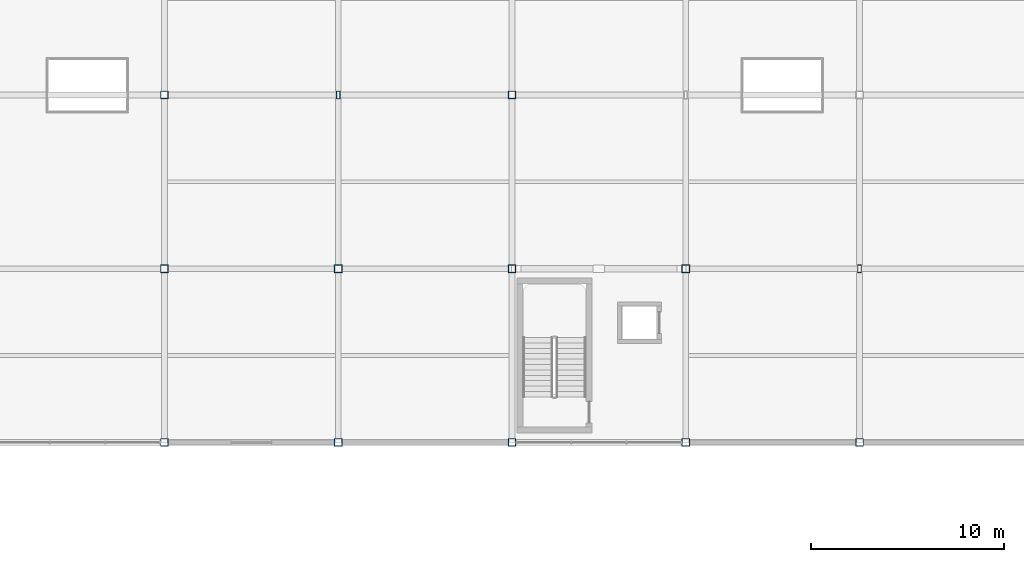
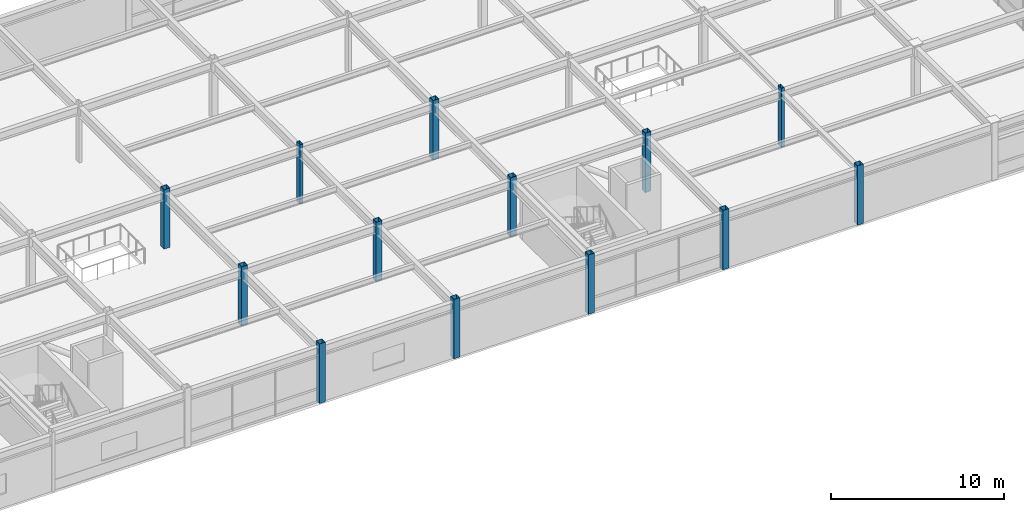
# One storey, part 6 of 70: 13 columns.
"""IFC4 building model written with IfcOpenShell, lengths in metres."""

from ifc_helpers import new_model, si_unit, direction, frame, origin, origin_2d, place, context, subcontext, project, spatial, hollow_rectangle, extrude, material, material_profile, profile_set, type_object, element, save


model = new_model("IFC4")

# Units and contexts
model_context = context("Model", 3, precision=1e-05, world=origin(), true_north=direction((0.0, 1.0)))
body_context = subcontext(model_context, "Body", "Model", "MODEL_VIEW")
ifc_project = project(units=[si_unit("LENGTHUNIT", "METRE"), si_unit("AREAUNIT", "SQUARE_METRE"), si_unit("VOLUMEUNIT", "CUBIC_METRE"), si_unit("PLANEANGLEUNIT", "RADIAN"), si_unit("MASSUNIT", "GRAM", prefix="KILO")], contexts=[model_context])

# Site, building, storey
site_placement = place(None, origin())
site = spatial("IfcSite", under=ifc_project, at=site_placement, CompositionType="ELEMENT")
building_placement = place(site_placement, origin())
building = spatial("IfcBuilding", under=site, at=building_placement, Name="Suzunagisa Mobility Hub", CompositionType="ELEMENT")
storey_placement = place(building_placement, frame((0.0, 0.0, 13.5)))
storey = spatial("IfcBuildingStorey", under=building, at=storey_placement, Name="L03", CompositionType="ELEMENT", Elevation=13.5)

# Columns
ifc_material = material(Name="Steel SN490B", Category="steel")
ifc_material_profile_1 = material_profile(ifc_material, hollow_rectangle(XDim=0.199951171875, YDim=0.39990234375, WallThickness=0.011962890625, at=origin_2d()), Name="RHS-400x200x12")
ifc_profile_set_1 = profile_set([ifc_material_profile_1], Name="Steel SN490B")
column_type_1 = type_object("IfcColumnType", Name="Steel Column CL-03 RHS-400x200x12", PredefinedType="COLUMN", material=ifc_profile_set_1)
for number, where, z_axis, x_axis, name in (
    (1, (81.0, 98.0, 0.0), (0.0, 0.0, 1.0), (1.0, 0.0, 0.0), "L03 Column 173"),
    (2, (108.0, 89.0, 0.0), (0.0, 0.0, 1.0), (1.0, 0.0, 0.0), "L03 Column 205"),
):
    element("IfcColumn", number, at=place(storey_placement, frame(where, z_axis=z_axis, x_axis=x_axis)), inside=storey, type_object=column_type_1, Name=name, PredefinedType="COLUMN", context=body_context, shape_type="SweptSolid", body=[
        extrude(hollow_rectangle(XDim=0.199951171875, YDim=0.39990234375, WallThickness=0.011962890625, at=origin_2d()), origin(), (0.0, 0.0, 1.0), 4.199951171875),
    ])
ifc_material_profile_2 = material_profile(ifc_material, hollow_rectangle(XDim=0.39990234375, YDim=0.39990234375, WallThickness=0.01904296875, at=origin_2d()), Name="BCR-400x400x19")
ifc_profile_set_2 = profile_set([ifc_material_profile_2], Name="Steel SN490B")
column_type_2 = type_object("IfcColumnType", Name="Steel Column CL-13 BCR-400x400x19", PredefinedType="COLUMN", material=ifc_profile_set_2)
for number, where, z_axis, x_axis, name in (
    (3, (72.0, 80.0, 0.0), (0.0, 0.0, 1.0), (1.0, 0.0, 0.0), "L03 Column 154"),
    (4, (72.0, 89.0, 0.0), (0.0, 0.0, 1.0), (1.0, 0.0, 0.0), "L03 Column 155"),
    (5, (72.0, 98.0, 0.0), (0.0, 0.0, 1.0), (1.0, 0.0, 0.0), "L03 Column 156"),
    (6, (81.0, 80.0, 0.0), (0.0, 0.0, 1.0), (1.0, 0.0, 0.0), "L03 Column 171"),
    (7, (81.0, 89.0, 0.0), (0.0, 0.0, 1.0), (1.0, 0.0, 0.0), "L03 Column 172"),
    (8, (90.0, 80.0, 0.0), (0.0, 0.0, 1.0), (1.0, 0.0, 0.0), "L03 Column 186"),
    (9, (90.0, 89.0, 0.0), (0.0, 0.0, 1.0), (1.0, 0.0, 0.0), "L03 Column 187"),
    (10, (90.0, 98.0, 0.0), (0.0, 0.0, 1.0), (1.0, 0.0, 0.0), "L03 Column 188"),
    (11, (99.0, 80.0, 0.0), (0.0, 0.0, 1.0), (1.0, 0.0, 0.0), "L03 Column 195"),
    (12, (99.0, 89.0, 0.0), (0.0, 0.0, 1.0), (1.0, 0.0, 0.0), "L03 Column 196"),
    (13, (108.0, 80.0, 0.0), (0.0, 0.0, 1.0), (1.0, 0.0, 0.0), "L03 Column 204"),
):
    element("IfcColumn", number, at=place(storey_placement, frame(where, z_axis=z_axis, x_axis=x_axis)), inside=storey, type_object=column_type_2, Name=name, PredefinedType="COLUMN", context=body_context, shape_type="SweptSolid", body=[
        extrude(hollow_rectangle(XDim=0.39990234375, YDim=0.39990234375, WallThickness=0.01904296875, at=origin_2d()), origin(), (0.0, 0.0, 1.0), 4.199951171875),
    ])

save(model, "model.ifc")
